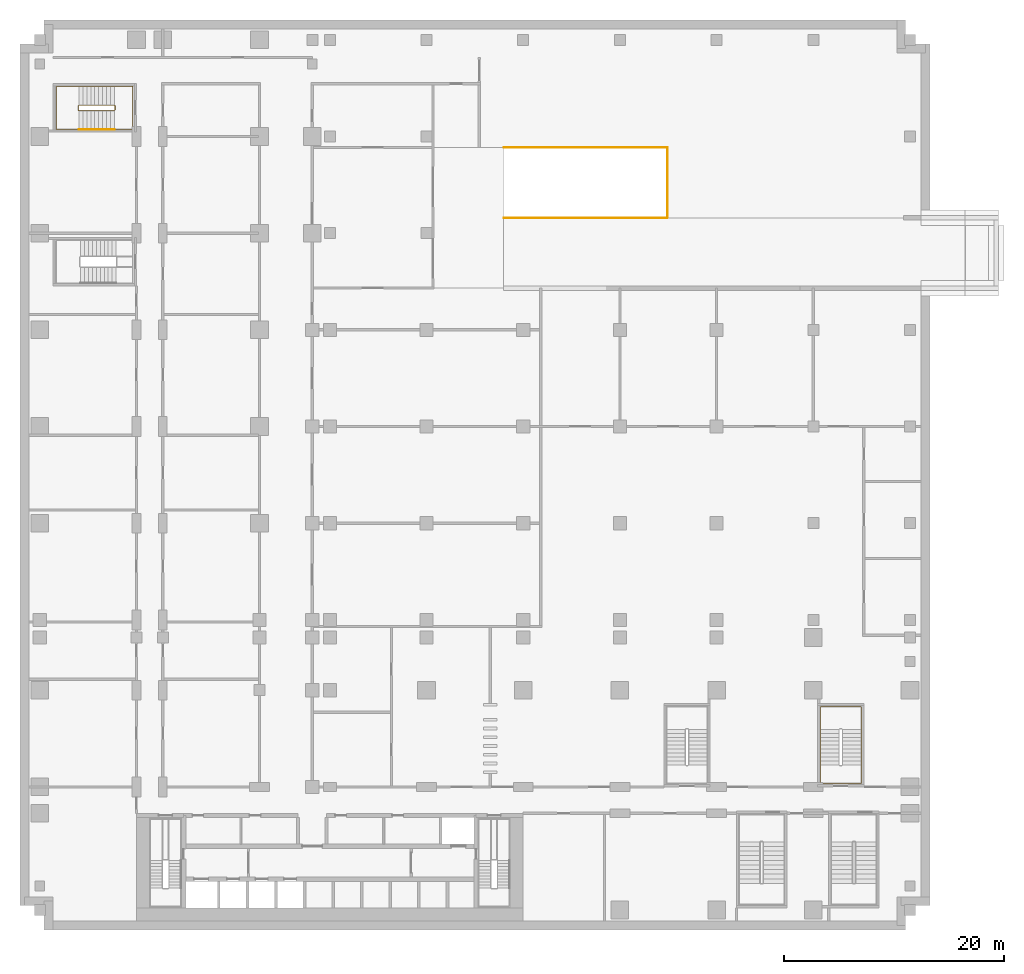
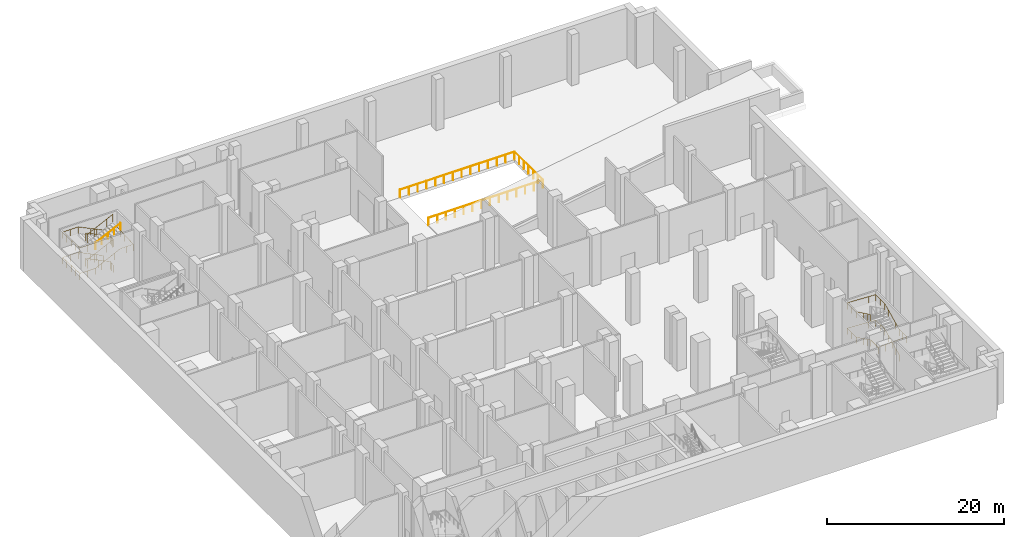
# One storey, part 15 of 15: 6 railings.
"""IFC4 building model written with IfcOpenShell, lengths in metres."""

from ifc_helpers import new_model, si_unit, direction, frame, origin, origin_2d, place, context, subcontext, project, spatial, circle, extrude, material, type_object, element, save


model = new_model("IFC4")

# Units and contexts
model_context = context("Model", 3, precision=1e-05, world=origin(), true_north=direction((0.0, 1.0)))
body_context = subcontext(model_context, "Body", "Model", "MODEL_VIEW")
ifc_project = project(units=[si_unit("LENGTHUNIT", "METRE"), si_unit("AREAUNIT", "SQUARE_METRE"), si_unit("VOLUMEUNIT", "CUBIC_METRE"), si_unit("PLANEANGLEUNIT", "RADIAN"), si_unit("MASSUNIT", "GRAM", prefix="KILO")], contexts=[model_context])

# Site, building, storey
site_placement = place(None, origin())
site = spatial("IfcSite", under=ifc_project, at=site_placement, CompositionType="ELEMENT")
building_placement = place(site_placement, origin())
building = spatial("IfcBuilding", under=site, at=building_placement, Name="Kemantara Hotel Tower", CompositionType="ELEMENT")
storey_placement = place(building_placement, frame((0.0, 0.0, -7.0)))
storey = spatial("IfcBuildingStorey", under=building, at=storey_placement, Name="B1", CompositionType="ELEMENT", Elevation=-7.0)

# Railings
ifc_material = material(Name="Stainless steel balustrade", Category="steel")
railing_type_1 = type_object("IfcRailingType", Name="STAINLESS STEEL GUARD 1100", PredefinedType="GUARDRAIL", material=ifc_material)
railing_1_placement = place(storey_placement, frame((58.125, 64.0, 0.0)))
element("IfcRailing", 1, at=railing_1_placement, inside=storey, type_object=railing_type_1, Name="RAMP OPENING GUARD", PredefinedType="GUARDRAIL", context=body_context, shape_type="SweptSolid", body=[
    extrude(circle(Radius=0.02392578125, at=origin_2d()), frame((0.0, 0.0, 1.076171875), z_axis=(0.0, 1.0, 0.0), x_axis=(-1.0, 0.0, 0.0)), (0.0, 0.0, 1.0), 6.39990234375),
    extrude(circle(Radius=0.02392578125, at=origin_2d()), frame((0.0, 6.39990234375, 1.076171875), z_axis=(-1.0, 0.0, 0.0), x_axis=(0.0, -1.0, 0.0)), (0.0, 0.0, 1.0), 14.875),
    extrude(circle(Radius=0.02099609375, at=origin_2d()), origin(), (0.0, 0.0, 1.0), 1.052001953125),
    extrude(circle(Radius=0.02099609375, at=origin_2d()), frame((0.0, 1.066650390625, 0.0)), (0.0, 0.0, 1.0), 1.052001953125),
    extrude(circle(Radius=0.02099609375, at=origin_2d()), frame((0.0, 2.13330078125, 0.0)), (0.0, 0.0, 1.0), 1.052001953125),
    extrude(circle(Radius=0.02099609375, at=origin_2d()), frame((0.0, 3.199951171875, 0.0)), (0.0, 0.0, 1.0), 1.052001953125),
    extrude(circle(Radius=0.02099609375, at=origin_2d()), frame((0.0, 4.2666015625, 0.0)), (0.0, 0.0, 1.0), 1.052001953125),
    extrude(circle(Radius=0.02099609375, at=origin_2d()), frame((0.0, 5.333251953125, 0.0)), (0.0, 0.0, 1.0), 1.052001953125),
    extrude(circle(Radius=0.02099609375, at=origin_2d()), frame((0.0, 6.39990234375, 0.0)), (0.0, 0.0, 1.0), 1.052001953125),
    extrude(circle(Radius=0.02099609375, at=origin_2d()), frame((-1.144287109375, 6.39990234375, 0.0)), (0.0, 0.0, 1.0), 1.052001953125),
    extrude(circle(Radius=0.02099609375, at=origin_2d()), frame((-2.28857421875, 6.39990234375, 0.0)), (0.0, 0.0, 1.0), 1.052001953125),
    extrude(circle(Radius=0.02099609375, at=origin_2d()), frame((-3.4326171875, 6.39990234375, 0.0)), (0.0, 0.0, 1.0), 1.052001953125),
    extrude(circle(Radius=0.02099609375, at=origin_2d()), frame((-4.576904296875, 6.39990234375, 0.0)), (0.0, 0.0, 1.0), 1.052001953125),
    extrude(circle(Radius=0.02099609375, at=origin_2d()), frame((-5.72119140625, 6.39990234375, 0.0)), (0.0, 0.0, 1.0), 1.052001953125),
    extrude(circle(Radius=0.02099609375, at=origin_2d()), frame((-6.865478515625, 6.39990234375, 0.0)), (0.0, 0.0, 1.0), 1.052001953125),
    extrude(circle(Radius=0.02099609375, at=origin_2d()), frame((-8.009521484375, 6.39990234375, 0.0)), (0.0, 0.0, 1.0), 1.052001953125),
    extrude(circle(Radius=0.02099609375, at=origin_2d()), frame((-9.15380859375, 6.39990234375, 0.0)), (0.0, 0.0, 1.0), 1.052001953125),
    extrude(circle(Radius=0.02099609375, at=origin_2d()), frame((-10.298095703125, 6.39990234375, 0.0)), (0.0, 0.0, 1.0), 1.052001953125),
    extrude(circle(Radius=0.02099609375, at=origin_2d()), frame((-11.4423828125, 6.39990234375, 0.0)), (0.0, 0.0, 1.0), 1.052001953125),
    extrude(circle(Radius=0.02099609375, at=origin_2d()), frame((-12.58642578125, 6.39990234375, 0.0)), (0.0, 0.0, 1.0), 1.052001953125),
    extrude(circle(Radius=0.02099609375, at=origin_2d()), frame((-13.730712890625, 6.39990234375, 0.0)), (0.0, 0.0, 1.0), 1.052001953125),
    extrude(circle(Radius=0.02099609375, at=origin_2d()), frame((-14.875, 6.39990234375, 0.0)), (0.0, 0.0, 1.0), 1.052001953125),
])
railing_2_placement = place(storey_placement, frame((43.25, 64.0, 0.0)))
element("IfcRailing", 2, at=railing_2_placement, inside=storey, type_object=railing_type_1, Name="RAMP OPENING GUARD", PredefinedType="GUARDRAIL", context=body_context, shape_type="SweptSolid", body=[
    extrude(circle(Radius=0.02392578125, at=origin_2d()), frame((0.0, 0.0, 1.076171875), z_axis=(1.0, 0.0, 0.0), x_axis=(0.0, 1.0, 0.0)), (0.0, 0.0, 1.0), 14.875),
    extrude(circle(Radius=0.02099609375, at=origin_2d()), origin(), (0.0, 0.0, 1.0), 1.052001953125),
    extrude(circle(Radius=0.02099609375, at=origin_2d()), frame((1.144287109375, 0.0, 0.0)), (0.0, 0.0, 1.0), 1.052001953125),
    extrude(circle(Radius=0.02099609375, at=origin_2d()), frame((2.28857421875, 0.0, 0.0)), (0.0, 0.0, 1.0), 1.052001953125),
    extrude(circle(Radius=0.02099609375, at=origin_2d()), frame((3.4326171875, 0.0, 0.0)), (0.0, 0.0, 1.0), 1.052001953125),
    extrude(circle(Radius=0.02099609375, at=origin_2d()), frame((4.576904296875, 0.0, 0.0)), (0.0, 0.0, 1.0), 1.052001953125),
    extrude(circle(Radius=0.02099609375, at=origin_2d()), frame((5.72119140625, 0.0, 0.0)), (0.0, 0.0, 1.0), 1.052001953125),
    extrude(circle(Radius=0.02099609375, at=origin_2d()), frame((6.865478515625, 0.0, 0.0)), (0.0, 0.0, 1.0), 1.052001953125),
    extrude(circle(Radius=0.02099609375, at=origin_2d()), frame((8.009521484375, 0.0, 0.0)), (0.0, 0.0, 1.0), 1.052001953125),
    extrude(circle(Radius=0.02099609375, at=origin_2d()), frame((9.15380859375, 0.0, 0.0)), (0.0, 0.0, 1.0), 1.052001953125),
    extrude(circle(Radius=0.02099609375, at=origin_2d()), frame((10.298095703125, 0.0, 0.0)), (0.0, 0.0, 1.0), 1.052001953125),
    extrude(circle(Radius=0.02099609375, at=origin_2d()), frame((11.4423828125, 0.0, 0.0)), (0.0, 0.0, 1.0), 1.052001953125),
    extrude(circle(Radius=0.02099609375, at=origin_2d()), frame((12.58642578125, 0.0, 0.0)), (0.0, 0.0, 1.0), 1.052001953125),
    extrude(circle(Radius=0.02099609375, at=origin_2d()), frame((13.730712890625, 0.0, 0.0)), (0.0, 0.0, 1.0), 1.052001953125),
    extrude(circle(Radius=0.02099609375, at=origin_2d()), frame((14.875, 0.0, 0.0)), (0.0, 0.0, 1.0), 1.052001953125),
])
railing_type_2 = type_object("IfcRailingType", Name="Stair guard 1100 mm", PredefinedType="GUARDRAIL", material=ifc_material)
railing_3_placement = place(storey_placement, frame((7.800048828125, 73.75, 7.0)))
element("IfcRailing", 3, at=railing_3_placement, inside=storey, type_object=railing_type_2, Name="B1 ST6 stair guard 1", PredefinedType="GUARDRAIL", context=body_context, shape_type="SweptSolid", body=[
    extrude(circle(Radius=0.02392578125, at=origin_2d()), frame((0.0, 0.0, 1.076171875), z_axis=(-0.899372665325, 0.0, -0.437182809435), x_axis=(0.0, -1.0, 0.0)), (0.0, 0.0, 1.0), 3.6025390625),
    extrude(circle(Radius=0.02392578125, at=origin_2d()), frame((-3.239990234375, 0.0, -0.4990234375), z_axis=(-0.265065253269, 0.265065253269, -0.927081885822), x_axis=(-0.707106781187, -0.707106781187, 0.0)), (0.0, 0.0, 1.0), 0.188720703125),
    extrude(circle(Radius=0.02392578125, at=origin_2d()), frame((-3.2900390625, 0.050048828125, -0.673828125), z_axis=(0.0, 1.0, 0.0), x_axis=(-1.0, 0.0, 0.0)), (0.0, 0.0, 1.0), 0.39990234375),
    extrude(circle(Radius=0.02392578125, at=origin_2d()), frame((-3.2900390625, 0.449951171875, -0.673828125), z_axis=(0.707106781187, 0.707106781187, 0.0), x_axis=(-0.707106781187, 0.707106781187, 0.0)), (0.0, 0.0, 1.0), 0.07080078125),
    extrude(circle(Radius=0.02392578125, at=origin_2d()), frame((-3.239990234375, 0.5, -0.673828125), z_axis=(0.899372665325, 0.0, -0.437182809435), x_axis=(0.0, 1.0, 0.0)), (0.0, 0.0, 1.0), 3.6025390625),
    extrude(circle(Radius=0.02392578125, at=origin_2d()), frame((0.0, 0.5, -2.2490234375), z_axis=(0.103110637797, -0.926989782734, -0.36063574293), x_axis=(0.993870574751, 0.110549901152, 0.0)), (0.0, 0.0, 1.0), 0.4853515625),
    extrude(circle(Radius=0.02392578125, at=origin_2d()), frame((0.050048828125, 0.050048828125, -2.423828125), z_axis=(0.0, 1.0, 0.0), x_axis=(-1.0, 0.0, 0.0)), (0.0, 0.0, 1.0), 0.39990234375),
    extrude(circle(Radius=0.02392578125, at=origin_2d()), frame((0.050048828125, 0.449951171875, -2.423828125), z_axis=(-0.110549901152, -0.993870574751, 0.0), x_axis=(0.993870574751, -0.110549901152, 0.0)), (0.0, 0.0, 1.0), 0.45263671875),
    extrude(circle(Radius=0.02392578125, at=origin_2d()), frame((0.0, 0.0, -2.423828125), z_axis=(-0.899372665325, 0.0, -0.437182809435), x_axis=(0.0, -1.0, 0.0)), (0.0, 0.0, 1.0), 3.6025390625),
    extrude(circle(Radius=0.02392578125, at=origin_2d()), frame((-3.239990234375, 0.0, -3.9990234375), z_axis=(-0.265065253269, 0.265065253269, -0.927081885822), x_axis=(-0.707106781187, -0.707106781187, 0.0)), (0.0, 0.0, 1.0), 0.188720703125),
    extrude(circle(Radius=0.02392578125, at=origin_2d()), frame((-3.2900390625, 0.050048828125, -4.173828125), z_axis=(0.0, 1.0, 0.0), x_axis=(-1.0, 0.0, 0.0)), (0.0, 0.0, 1.0), 0.39990234375),
    extrude(circle(Radius=0.02392578125, at=origin_2d()), frame((-3.2900390625, 0.449951171875, -4.173828125), z_axis=(0.707106781187, 0.707106781187, 0.0), x_axis=(-0.707106781187, 0.707106781187, 0.0)), (0.0, 0.0, 1.0), 0.07080078125),
    extrude(circle(Radius=0.02392578125, at=origin_2d()), frame((-3.239990234375, 0.5, -4.173828125), z_axis=(0.899372665325, 0.0, -0.437182809435), x_axis=(0.0, 1.0, 0.0)), (0.0, 0.0, 1.0), 3.6025390625),
    extrude(circle(Radius=0.02392578125, at=origin_2d()), frame((0.0, 0.5, -5.7490234375), z_axis=(0.265065253269, -0.265065253269, -0.927081885822), x_axis=(0.707106781187, 0.707106781187, 0.0)), (0.0, 0.0, 1.0), 0.188720703125),
    extrude(circle(Radius=0.02392578125, at=origin_2d()), frame((0.050048828125, 0.449951171875, -5.923828125), z_axis=(0.0, -1.0, 0.0), x_axis=(1.0, 0.0, 0.0)), (0.0, 0.0, 1.0), 0.39990234375),
    extrude(circle(Radius=0.02099609375, at=origin_2d()), origin(), (0.0, 0.0, 1.0), 1.052001953125),
    extrude(circle(Radius=0.02099609375, at=origin_2d()), frame((-0.81005859375, 0.0, -0.393798828125)), (0.0, 0.0, 1.0), 1.052001953125),
    extrude(circle(Radius=0.02099609375, at=origin_2d()), frame((-1.6201171875, 0.0, -0.78759765625)), (0.0, 0.0, 1.0), 1.052001953125),
    extrude(circle(Radius=0.02099609375, at=origin_2d()), frame((-2.429931640625, 0.0, -1.18115234375)), (0.0, 0.0, 1.0), 1.052001953125),
    extrude(circle(Radius=0.02099609375, at=origin_2d()), frame((-3.239990234375, 0.0, -1.574951171875)), (0.0, 0.0, 1.0), 1.052001953125),
    extrude(circle(Radius=0.02099609375, at=origin_2d()), frame((-3.2900390625, 0.050048828125, -1.75)), (0.0, 0.0, 1.0), 1.052001953125),
    extrude(circle(Radius=0.02099609375, at=origin_2d()), frame((-3.2900390625, 0.449951171875, -1.75)), (0.0, 0.0, 1.0), 1.052001953125),
    extrude(circle(Radius=0.02099609375, at=origin_2d()), frame((-3.239990234375, 0.5, -1.75)), (0.0, 0.0, 1.0), 1.052001953125),
    extrude(circle(Radius=0.02099609375, at=origin_2d()), frame((-2.429931640625, 0.5, -2.143798828125)), (0.0, 0.0, 1.0), 1.052001953125),
    extrude(circle(Radius=0.02099609375, at=origin_2d()), frame((-1.6201171875, 0.5, -2.53759765625)), (0.0, 0.0, 1.0), 1.052001953125),
    extrude(circle(Radius=0.02099609375, at=origin_2d()), frame((-0.81005859375, 0.5, -2.93115234375)), (0.0, 0.0, 1.0), 1.052001953125),
    extrude(circle(Radius=0.02099609375, at=origin_2d()), frame((0.0, 0.5, -3.324951171875)), (0.0, 0.0, 1.0), 1.052001953125),
    extrude(circle(Radius=0.02099609375, at=origin_2d()), frame((0.050048828125, 0.050048828125, -3.5)), (0.0, 0.0, 1.0), 1.052001953125),
    extrude(circle(Radius=0.02099609375, at=origin_2d()), frame((0.050048828125, 0.449951171875, -3.5)), (0.0, 0.0, 1.0), 1.052001953125),
    extrude(circle(Radius=0.02099609375, at=origin_2d()), frame((0.0, 0.0, -3.5)), (0.0, 0.0, 1.0), 1.052001953125),
    extrude(circle(Radius=0.02099609375, at=origin_2d()), frame((-0.81005859375, 0.0, -3.893798828125)), (0.0, 0.0, 1.0), 1.052001953125),
    extrude(circle(Radius=0.02099609375, at=origin_2d()), frame((-1.6201171875, 0.0, -4.28759765625)), (0.0, 0.0, 1.0), 1.052001953125),
    extrude(circle(Radius=0.02099609375, at=origin_2d()), frame((-2.429931640625, 0.0, -4.68115234375)), (0.0, 0.0, 1.0), 1.052001953125),
    extrude(circle(Radius=0.02099609375, at=origin_2d()), frame((-3.239990234375, 0.0, -5.074951171875)), (0.0, 0.0, 1.0), 1.052001953125),
    extrude(circle(Radius=0.02099609375, at=origin_2d()), frame((-3.2900390625, 0.050048828125, -5.25)), (0.0, 0.0, 1.0), 1.052001953125),
    extrude(circle(Radius=0.02099609375, at=origin_2d()), frame((-3.2900390625, 0.449951171875, -5.25)), (0.0, 0.0, 1.0), 1.052001953125),
    extrude(circle(Radius=0.02099609375, at=origin_2d()), frame((-3.239990234375, 0.5, -5.25)), (0.0, 0.0, 1.0), 1.052001953125),
    extrude(circle(Radius=0.02099609375, at=origin_2d()), frame((-2.429931640625, 0.5, -5.643798828125)), (0.0, 0.0, 1.0), 1.052001953125),
    extrude(circle(Radius=0.02099609375, at=origin_2d()), frame((-1.6201171875, 0.5, -6.03759765625)), (0.0, 0.0, 1.0), 1.052001953125),
    extrude(circle(Radius=0.02099609375, at=origin_2d()), frame((-0.81005859375, 0.5, -6.43115234375)), (0.0, 0.0, 1.0), 1.052001953125),
    extrude(circle(Radius=0.02099609375, at=origin_2d()), frame((0.0, 0.5, -6.824951171875)), (0.0, 0.0, 1.0), 1.052001953125),
    extrude(circle(Radius=0.02099609375, at=origin_2d()), frame((0.050048828125, 0.449951171875, -7.0)), (0.0, 0.0, 1.0), 1.052001953125),
    extrude(circle(Radius=0.02099609375, at=origin_2d()), frame((0.050048828125, 0.050048828125, -7.0)), (0.0, 0.0, 1.0), 1.052001953125),
])
railing_type_3 = type_object("IfcRailingType", Name="Stair handrail 900 mm", PredefinedType="HANDRAIL", material=ifc_material)
railing_4_placement = place(storey_placement, frame((75.75, 14.199951171875, 0.175048828125)))
element("IfcRailing", 4, at=railing_4_placement, inside=storey, type_object=railing_type_3, Name="B1 ST5 stair handrail 1", PredefinedType="HANDRAIL", context=body_context, shape_type="SweptSolid", body=[
    extrude(circle(Radius=0.02392578125, at=origin_2d()), frame((0.0, 0.0, 0.8759765625), z_axis=(0.0, 0.899372665325, 0.437182809435), x_axis=(-1.0, 0.0, 0.0)), (0.0, 0.0, 1.0), 3.6025390625),
    extrude(circle(Radius=0.02392578125, at=origin_2d()), frame((0.0, 3.239990234375, 2.45068359375), z_axis=(0.0, 1.0, 0.0), x_axis=(-1.0, 0.0, 0.0)), (0.0, 0.0, 1.0), 2.0400390625),
    extrude(circle(Radius=0.02392578125, at=origin_2d()), frame((0.0, 5.280029296875, 2.45068359375), z_axis=(-0.998882704354, 0.0, 0.047258257936), x_axis=(0.0, -1.0, 0.0)), (0.0, 0.0, 1.0), 3.7041015625),
    extrude(circle(Radius=0.02392578125, at=origin_2d()), frame((-3.699951171875, 5.280029296875, 2.6259765625), z_axis=(0.0, -1.0, 0.0), x_axis=(1.0, 0.0, 0.0)), (0.0, 0.0, 1.0), 2.0400390625),
    extrude(circle(Radius=0.02392578125, at=origin_2d()), frame((-3.699951171875, 3.239990234375, 2.6259765625), z_axis=(0.0, -0.899372665325, 0.437182809435), x_axis=(1.0, 0.0, 0.0)), (0.0, 0.0, 1.0), 3.6025390625),
    extrude(circle(Radius=0.02392578125, at=origin_2d()), frame((-3.699951171875, 0.0, 4.20068359375), z_axis=(0.0, -1.0, 0.0), x_axis=(1.0, 0.0, 0.0)), (0.0, 0.0, 1.0), 1.679931640625),
    extrude(circle(Radius=0.02392578125, at=origin_2d()), frame((-3.699951171875, -1.679931640625, 4.20068359375), z_axis=(0.998882704354, 0.0, 0.047258257936), x_axis=(0.0, 1.0, 0.0)), (0.0, 0.0, 1.0), 3.7041015625),
    extrude(circle(Radius=0.02392578125, at=origin_2d()), frame((0.0, -1.679931640625, 4.3759765625), z_axis=(0.0, 1.0, 0.0), x_axis=(-1.0, 0.0, 0.0)), (0.0, 0.0, 1.0), 1.679931640625),
    extrude(circle(Radius=0.02392578125, at=origin_2d()), frame((0.0, 0.0, 4.3759765625), z_axis=(0.0, 0.899372665325, 0.437182809435), x_axis=(-1.0, 0.0, 0.0)), (0.0, 0.0, 1.0), 3.6025390625),
    extrude(circle(Radius=0.02392578125, at=origin_2d()), frame((0.0, 3.239990234375, 5.95068359375), z_axis=(0.0, 1.0, 0.0), x_axis=(-1.0, 0.0, 0.0)), (0.0, 0.0, 1.0), 2.0400390625),
    extrude(circle(Radius=0.02392578125, at=origin_2d()), frame((0.0, 5.280029296875, 5.95068359375), z_axis=(-0.998882704354, 0.0, 0.047258257936), x_axis=(0.0, -1.0, 0.0)), (0.0, 0.0, 1.0), 3.7041015625),
    extrude(circle(Radius=0.02392578125, at=origin_2d()), frame((-3.699951171875, 5.280029296875, 6.1259765625), z_axis=(0.0, -1.0, 0.0), x_axis=(1.0, 0.0, 0.0)), (0.0, 0.0, 1.0), 2.0400390625),
    extrude(circle(Radius=0.02392578125, at=origin_2d()), frame((-3.699951171875, 3.239990234375, 6.1259765625), z_axis=(0.0, -0.899372665325, 0.437182809435), x_axis=(1.0, 0.0, 0.0)), (0.0, 0.0, 1.0), 3.6025390625),
    extrude(circle(Radius=0.02099609375, at=origin_2d()), origin(), (0.0, 0.0, 1.0), 0.851806640625),
    extrude(circle(Radius=0.02099609375, at=origin_2d()), frame((0.0, 0.81005859375, 0.393798828125)), (0.0, 0.0, 1.0), 0.851806640625),
    extrude(circle(Radius=0.02099609375, at=origin_2d()), frame((0.0, 1.6201171875, 0.78759765625)), (0.0, 0.0, 1.0), 0.851806640625),
    extrude(circle(Radius=0.02099609375, at=origin_2d()), frame((0.0, 2.429931640625, 1.18115234375)), (0.0, 0.0, 1.0), 0.851806640625),
    extrude(circle(Radius=0.02099609375, at=origin_2d()), frame((0.0, 3.239990234375, 1.574951171875)), (0.0, 0.0, 1.0), 0.851806640625),
    extrude(circle(Radius=0.02099609375, at=origin_2d()), frame((0.0, 4.260009765625, 1.574951171875)), (0.0, 0.0, 1.0), 0.851806640625),
    extrude(circle(Radius=0.02099609375, at=origin_2d()), frame((0.0, 5.280029296875, 1.574951171875)), (0.0, 0.0, 1.0), 0.851806640625),
    extrude(circle(Radius=0.02099609375, at=origin_2d()), frame((-0.925048828125, 5.280029296875, 1.61865234375)), (0.0, 0.0, 1.0), 0.851806640625),
    extrude(circle(Radius=0.02099609375, at=origin_2d()), frame((-1.85009765625, 5.280029296875, 1.66259765625)), (0.0, 0.0, 1.0), 0.851806640625),
    extrude(circle(Radius=0.02099609375, at=origin_2d()), frame((-2.77490234375, 5.280029296875, 1.706298828125)), (0.0, 0.0, 1.0), 0.851806640625),
    extrude(circle(Radius=0.02099609375, at=origin_2d()), frame((-3.699951171875, 5.280029296875, 1.75)), (0.0, 0.0, 1.0), 0.851806640625),
    extrude(circle(Radius=0.02099609375, at=origin_2d()), frame((-3.699951171875, 4.260009765625, 1.75)), (0.0, 0.0, 1.0), 0.851806640625),
    extrude(circle(Radius=0.02099609375, at=origin_2d()), frame((-3.699951171875, 3.239990234375, 1.75)), (0.0, 0.0, 1.0), 0.851806640625),
    extrude(circle(Radius=0.02099609375, at=origin_2d()), frame((-3.699951171875, 2.429931640625, 2.143798828125)), (0.0, 0.0, 1.0), 0.851806640625),
    extrude(circle(Radius=0.02099609375, at=origin_2d()), frame((-3.699951171875, 1.6201171875, 2.53759765625)), (0.0, 0.0, 1.0), 0.851806640625),
    extrude(circle(Radius=0.02099609375, at=origin_2d()), frame((-3.699951171875, 0.81005859375, 2.93115234375)), (0.0, 0.0, 1.0), 0.851806640625),
    extrude(circle(Radius=0.02099609375, at=origin_2d()), frame((-3.699951171875, 0.0, 3.324951171875)), (0.0, 0.0, 1.0), 0.851806640625),
    extrude(circle(Radius=0.02099609375, at=origin_2d()), frame((-3.699951171875, -0.83984375, 3.324951171875)), (0.0, 0.0, 1.0), 0.851806640625),
    extrude(circle(Radius=0.02099609375, at=origin_2d()), frame((-3.699951171875, -1.679931640625, 3.324951171875)), (0.0, 0.0, 1.0), 0.851806640625),
    extrude(circle(Radius=0.02099609375, at=origin_2d()), frame((-2.77490234375, -1.679931640625, 3.36865234375)), (0.0, 0.0, 1.0), 0.851806640625),
    extrude(circle(Radius=0.02099609375, at=origin_2d()), frame((-1.85009765625, -1.679931640625, 3.41259765625)), (0.0, 0.0, 1.0), 0.851806640625),
    extrude(circle(Radius=0.02099609375, at=origin_2d()), frame((-0.925048828125, -1.679931640625, 3.456298828125)), (0.0, 0.0, 1.0), 0.851806640625),
    extrude(circle(Radius=0.02099609375, at=origin_2d()), frame((0.0, -1.679931640625, 3.5)), (0.0, 0.0, 1.0), 0.851806640625),
    extrude(circle(Radius=0.02099609375, at=origin_2d()), frame((0.0, -0.83984375, 3.5)), (0.0, 0.0, 1.0), 0.851806640625),
    extrude(circle(Radius=0.02099609375, at=origin_2d()), frame((0.0, 0.0, 3.5)), (0.0, 0.0, 1.0), 0.851806640625),
    extrude(circle(Radius=0.02099609375, at=origin_2d()), frame((0.0, 0.81005859375, 3.893798828125)), (0.0, 0.0, 1.0), 0.851806640625),
    extrude(circle(Radius=0.02099609375, at=origin_2d()), frame((0.0, 1.6201171875, 4.28759765625)), (0.0, 0.0, 1.0), 0.851806640625),
    extrude(circle(Radius=0.02099609375, at=origin_2d()), frame((0.0, 2.429931640625, 4.68115234375)), (0.0, 0.0, 1.0), 0.851806640625),
    extrude(circle(Radius=0.02099609375, at=origin_2d()), frame((0.0, 3.239990234375, 5.074951171875)), (0.0, 0.0, 1.0), 0.851806640625),
    extrude(circle(Radius=0.02099609375, at=origin_2d()), frame((0.0, 4.260009765625, 5.074951171875)), (0.0, 0.0, 1.0), 0.851806640625),
    extrude(circle(Radius=0.02099609375, at=origin_2d()), frame((0.0, 5.280029296875, 5.074951171875)), (0.0, 0.0, 1.0), 0.851806640625),
    extrude(circle(Radius=0.02099609375, at=origin_2d()), frame((-0.925048828125, 5.280029296875, 5.11865234375)), (0.0, 0.0, 1.0), 0.851806640625),
    extrude(circle(Radius=0.02099609375, at=origin_2d()), frame((-1.85009765625, 5.280029296875, 5.16259765625)), (0.0, 0.0, 1.0), 0.851806640625),
    extrude(circle(Radius=0.02099609375, at=origin_2d()), frame((-2.77490234375, 5.280029296875, 5.206298828125)), (0.0, 0.0, 1.0), 0.851806640625),
    extrude(circle(Radius=0.02099609375, at=origin_2d()), frame((-3.699951171875, 5.280029296875, 5.25)), (0.0, 0.0, 1.0), 0.851806640625),
    extrude(circle(Radius=0.02099609375, at=origin_2d()), frame((-3.699951171875, 4.260009765625, 5.25)), (0.0, 0.0, 1.0), 0.851806640625),
    extrude(circle(Radius=0.02099609375, at=origin_2d()), frame((-3.699951171875, 3.239990234375, 5.25)), (0.0, 0.0, 1.0), 0.851806640625),
    extrude(circle(Radius=0.02099609375, at=origin_2d()), frame((-3.699951171875, 2.429931640625, 5.643798828125)), (0.0, 0.0, 1.0), 0.851806640625),
    extrude(circle(Radius=0.02099609375, at=origin_2d()), frame((-3.699951171875, 1.6201171875, 6.03759765625)), (0.0, 0.0, 1.0), 0.851806640625),
    extrude(circle(Radius=0.02099609375, at=origin_2d()), frame((-3.699951171875, 0.81005859375, 6.43115234375)), (0.0, 0.0, 1.0), 0.851806640625),
    extrude(circle(Radius=0.02099609375, at=origin_2d()), frame((-3.699951171875, 0.0, 6.824951171875)), (0.0, 0.0, 1.0), 0.851806640625),
])
railing_5_placement = place(storey_placement, frame((7.800048828125, 75.949951171875, 0.175048828125)))
element("IfcRailing", 5, at=railing_5_placement, inside=storey, type_object=railing_type_3, Name="B1 ST6 stair handrail 1", PredefinedType="HANDRAIL", context=body_context, shape_type="SweptSolid", body=[
    extrude(circle(Radius=0.02392578125, at=origin_2d()), frame((0.0, 0.0, 0.8759765625), z_axis=(-0.899372665325, 0.0, 0.437182809435), x_axis=(0.0, -1.0, 0.0)), (0.0, 0.0, 1.0), 3.6025390625),
    extrude(circle(Radius=0.02392578125, at=origin_2d()), frame((-3.239990234375, 0.0, 2.45068359375), z_axis=(-1.0, 0.0, 0.0), x_axis=(0.0, -1.0, 0.0)), (0.0, 0.0, 1.0), 2.0400390625),
    extrude(circle(Radius=0.02392578125, at=origin_2d()), frame((-5.280029296875, 0.0, 2.45068359375), z_axis=(0.0, -0.998994168274, 0.04484029164), x_axis=(1.0, 0.0, 0.0)), (0.0, 0.0, 1.0), 3.90380859375),
    extrude(circle(Radius=0.02392578125, at=origin_2d()), frame((-5.280029296875, -3.89990234375, 2.6259765625), z_axis=(1.0, 0.0, 0.0), x_axis=(0.0, 1.0, 0.0)), (0.0, 0.0, 1.0), 2.0400390625),
    extrude(circle(Radius=0.02392578125, at=origin_2d()), frame((-3.239990234375, -3.89990234375, 2.6259765625), z_axis=(0.899372665325, 0.0, 0.437182809435), x_axis=(0.0, 1.0, 0.0)), (0.0, 0.0, 1.0), 3.6025390625),
    extrude(circle(Radius=0.02392578125, at=origin_2d()), frame((0.0, -3.89990234375, 4.20068359375), z_axis=(1.0, 0.0, 0.0), x_axis=(0.0, 1.0, 0.0)), (0.0, 0.0, 1.0), 1.679931640625),
    extrude(circle(Radius=0.02392578125, at=origin_2d()), frame((1.679931640625, -3.89990234375, 4.20068359375), z_axis=(0.0, 0.998994168274, 0.04484029164), x_axis=(-1.0, 0.0, 0.0)), (0.0, 0.0, 1.0), 3.90380859375),
    extrude(circle(Radius=0.02392578125, at=origin_2d()), frame((1.679931640625, 0.0, 4.3759765625), z_axis=(-1.0, 0.0, 0.0), x_axis=(0.0, -1.0, 0.0)), (0.0, 0.0, 1.0), 1.679931640625),
    extrude(circle(Radius=0.02392578125, at=origin_2d()), frame((0.0, 0.0, 4.3759765625), z_axis=(-0.899372665325, 0.0, 0.437182809435), x_axis=(0.0, -1.0, 0.0)), (0.0, 0.0, 1.0), 3.6025390625),
    extrude(circle(Radius=0.02392578125, at=origin_2d()), frame((-3.239990234375, 0.0, 5.95068359375), z_axis=(-1.0, 0.0, 0.0), x_axis=(0.0, -1.0, 0.0)), (0.0, 0.0, 1.0), 2.0400390625),
    extrude(circle(Radius=0.02392578125, at=origin_2d()), frame((-5.280029296875, 0.0, 5.95068359375), z_axis=(0.0, -0.998994168274, 0.04484029164), x_axis=(1.0, 0.0, 0.0)), (0.0, 0.0, 1.0), 3.90380859375),
    extrude(circle(Radius=0.02392578125, at=origin_2d()), frame((-5.280029296875, -3.89990234375, 6.1259765625), z_axis=(1.0, 0.0, 0.0), x_axis=(0.0, 1.0, 0.0)), (0.0, 0.0, 1.0), 2.0400390625),
    extrude(circle(Radius=0.02099609375, at=origin_2d()), origin(), (0.0, 0.0, 1.0), 0.851806640625),
    extrude(circle(Radius=0.02099609375, at=origin_2d()), frame((-0.81005859375, 0.0, 0.393798828125)), (0.0, 0.0, 1.0), 0.851806640625),
    extrude(circle(Radius=0.02099609375, at=origin_2d()), frame((-1.6201171875, 0.0, 0.78759765625)), (0.0, 0.0, 1.0), 0.851806640625),
    extrude(circle(Radius=0.02099609375, at=origin_2d()), frame((-2.429931640625, 0.0, 1.18115234375)), (0.0, 0.0, 1.0), 0.851806640625),
    extrude(circle(Radius=0.02099609375, at=origin_2d()), frame((-3.239990234375, 0.0, 1.574951171875)), (0.0, 0.0, 1.0), 0.851806640625),
    extrude(circle(Radius=0.02099609375, at=origin_2d()), frame((-4.260009765625, 0.0, 1.574951171875)), (0.0, 0.0, 1.0), 0.851806640625),
    extrude(circle(Radius=0.02099609375, at=origin_2d()), frame((-5.280029296875, 0.0, 1.574951171875)), (0.0, 0.0, 1.0), 0.851806640625),
    extrude(circle(Radius=0.02099609375, at=origin_2d()), frame((-5.280029296875, -0.97509765625, 1.61865234375)), (0.0, 0.0, 1.0), 0.851806640625),
    extrude(circle(Radius=0.02099609375, at=origin_2d()), frame((-5.280029296875, -1.949951171875, 1.66259765625)), (0.0, 0.0, 1.0), 0.851806640625),
    extrude(circle(Radius=0.02099609375, at=origin_2d()), frame((-5.280029296875, -2.9248046875, 1.706298828125)), (0.0, 0.0, 1.0), 0.851806640625),
    extrude(circle(Radius=0.02099609375, at=origin_2d()), frame((-5.280029296875, -3.89990234375, 1.75)), (0.0, 0.0, 1.0), 0.851806640625),
    extrude(circle(Radius=0.02099609375, at=origin_2d()), frame((-4.260009765625, -3.89990234375, 1.75)), (0.0, 0.0, 1.0), 0.851806640625),
    extrude(circle(Radius=0.02099609375, at=origin_2d()), frame((-3.239990234375, -3.89990234375, 1.75)), (0.0, 0.0, 1.0), 0.851806640625),
    extrude(circle(Radius=0.02099609375, at=origin_2d()), frame((-2.429931640625, -3.89990234375, 2.143798828125)), (0.0, 0.0, 1.0), 0.851806640625),
    extrude(circle(Radius=0.02099609375, at=origin_2d()), frame((-1.6201171875, -3.89990234375, 2.53759765625)), (0.0, 0.0, 1.0), 0.851806640625),
    extrude(circle(Radius=0.02099609375, at=origin_2d()), frame((-0.81005859375, -3.89990234375, 2.93115234375)), (0.0, 0.0, 1.0), 0.851806640625),
    extrude(circle(Radius=0.02099609375, at=origin_2d()), frame((0.0, -3.89990234375, 3.324951171875)), (0.0, 0.0, 1.0), 0.851806640625),
    extrude(circle(Radius=0.02099609375, at=origin_2d()), frame((0.83984375, -3.89990234375, 3.324951171875)), (0.0, 0.0, 1.0), 0.851806640625),
    extrude(circle(Radius=0.02099609375, at=origin_2d()), frame((1.679931640625, -3.89990234375, 3.324951171875)), (0.0, 0.0, 1.0), 0.851806640625),
    extrude(circle(Radius=0.02099609375, at=origin_2d()), frame((1.679931640625, -2.9248046875, 3.36865234375)), (0.0, 0.0, 1.0), 0.851806640625),
    extrude(circle(Radius=0.02099609375, at=origin_2d()), frame((1.679931640625, -1.949951171875, 3.41259765625)), (0.0, 0.0, 1.0), 0.851806640625),
    extrude(circle(Radius=0.02099609375, at=origin_2d()), frame((1.679931640625, -0.97509765625, 3.456298828125)), (0.0, 0.0, 1.0), 0.851806640625),
    extrude(circle(Radius=0.02099609375, at=origin_2d()), frame((1.679931640625, 0.0, 3.5)), (0.0, 0.0, 1.0), 0.851806640625),
    extrude(circle(Radius=0.02099609375, at=origin_2d()), frame((0.83984375, 0.0, 3.5)), (0.0, 0.0, 1.0), 0.851806640625),
    extrude(circle(Radius=0.02099609375, at=origin_2d()), frame((0.0, 0.0, 3.5)), (0.0, 0.0, 1.0), 0.851806640625),
    extrude(circle(Radius=0.02099609375, at=origin_2d()), frame((-0.81005859375, 0.0, 3.893798828125)), (0.0, 0.0, 1.0), 0.851806640625),
    extrude(circle(Radius=0.02099609375, at=origin_2d()), frame((-1.6201171875, 0.0, 4.28759765625)), (0.0, 0.0, 1.0), 0.851806640625),
    extrude(circle(Radius=0.02099609375, at=origin_2d()), frame((-2.429931640625, 0.0, 4.68115234375)), (0.0, 0.0, 1.0), 0.851806640625),
    extrude(circle(Radius=0.02099609375, at=origin_2d()), frame((-3.239990234375, 0.0, 5.074951171875)), (0.0, 0.0, 1.0), 0.851806640625),
    extrude(circle(Radius=0.02099609375, at=origin_2d()), frame((-4.260009765625, 0.0, 5.074951171875)), (0.0, 0.0, 1.0), 0.851806640625),
    extrude(circle(Radius=0.02099609375, at=origin_2d()), frame((-5.280029296875, 0.0, 5.074951171875)), (0.0, 0.0, 1.0), 0.851806640625),
    extrude(circle(Radius=0.02099609375, at=origin_2d()), frame((-5.280029296875, -0.97509765625, 5.11865234375)), (0.0, 0.0, 1.0), 0.851806640625),
    extrude(circle(Radius=0.02099609375, at=origin_2d()), frame((-5.280029296875, -1.949951171875, 5.16259765625)), (0.0, 0.0, 1.0), 0.851806640625),
    extrude(circle(Radius=0.02099609375, at=origin_2d()), frame((-5.280029296875, -2.9248046875, 5.206298828125)), (0.0, 0.0, 1.0), 0.851806640625),
    extrude(circle(Radius=0.02099609375, at=origin_2d()), frame((-5.280029296875, -3.89990234375, 5.25)), (0.0, 0.0, 1.0), 0.851806640625),
    extrude(circle(Radius=0.02099609375, at=origin_2d()), frame((-4.260009765625, -3.89990234375, 5.25)), (0.0, 0.0, 1.0), 0.851806640625),
    extrude(circle(Radius=0.02099609375, at=origin_2d()), frame((-3.239990234375, -3.89990234375, 5.25)), (0.0, 0.0, 1.0), 0.851806640625),
])
railing_6_placement = place(storey_placement, frame((4.56005859375, 72.050048828125, 5.425048828125)))
element("IfcRailing", 6, at=railing_6_placement, inside=storey, type_object=railing_type_3, Name="B1 ST6 stair handrail 2", PredefinedType="HANDRAIL", context=body_context, shape_type="SweptSolid", body=[
    extrude(circle(Radius=0.02392578125, at=origin_2d()), frame((0.0, 0.0, 0.8759765625), z_axis=(0.899372665325, 0.0, 0.437182809435), x_axis=(0.0, 1.0, 0.0)), (0.0, 0.0, 1.0), 3.6025390625),
    extrude(circle(Radius=0.02099609375, at=origin_2d()), origin(), (0.0, 0.0, 1.0), 0.851806640625),
    extrude(circle(Radius=0.02099609375, at=origin_2d()), frame((0.81005859375, 0.0, 0.393798828125)), (0.0, 0.0, 1.0), 0.851806640625),
    extrude(circle(Radius=0.02099609375, at=origin_2d()), frame((1.6201171875, 0.0, 0.78759765625)), (0.0, 0.0, 1.0), 0.851806640625),
    extrude(circle(Radius=0.02099609375, at=origin_2d()), frame((2.429931640625, 0.0, 1.18115234375)), (0.0, 0.0, 1.0), 0.851806640625),
    extrude(circle(Radius=0.02099609375, at=origin_2d()), frame((3.239990234375, 0.0, 1.574951171875)), (0.0, 0.0, 1.0), 0.851806640625),
])

save(model, "model.ifc")
